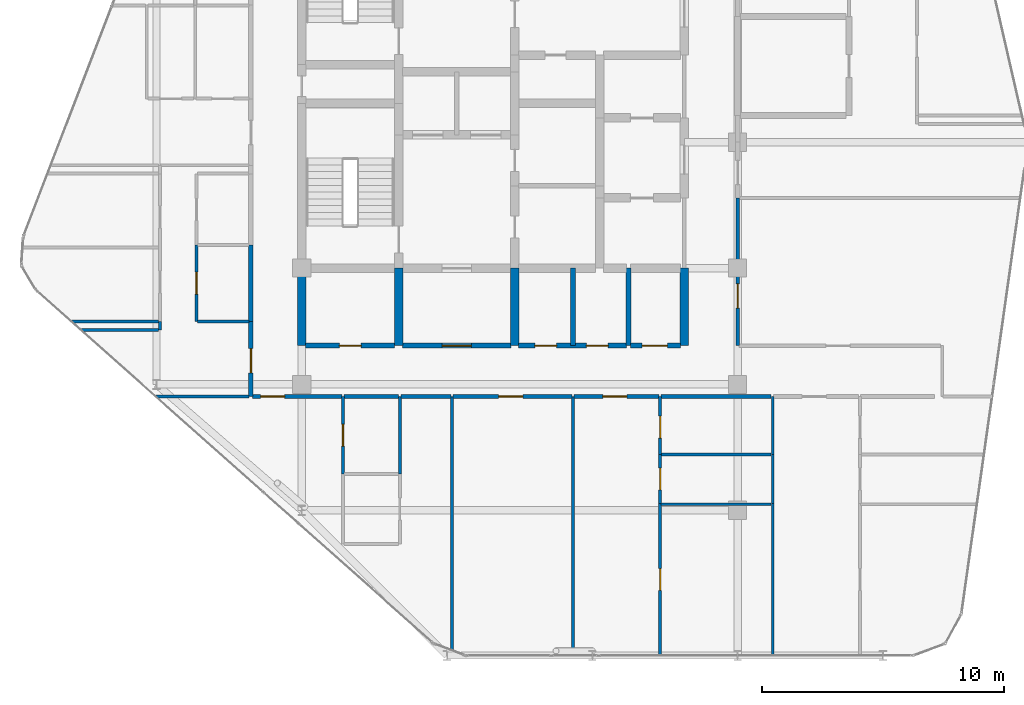
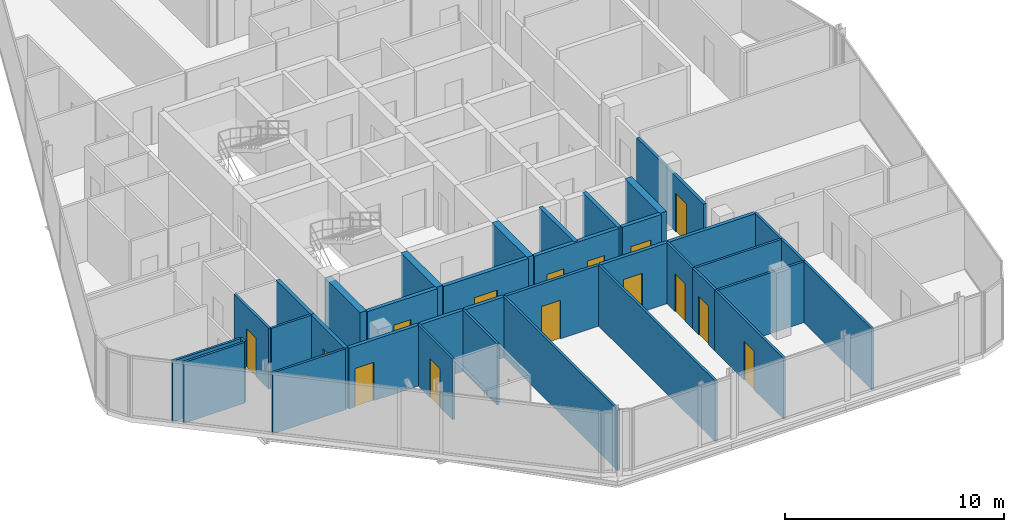
# One storey, part 22 of 27: 37 walls, 15 doors, 15 openings.
"""IFC4 building model written with IfcOpenShell, lengths in metres."""

from ifc_helpers import new_model, si_unit, direction, frame, frame_2d, origin, place, context, subcontext, project, spatial, rectangle, extrude, material, layer, layer_set, type_object, element, fill, save


model = new_model("IFC4")

# Units and contexts
model_context = context("Model", 3, precision=1e-05, world=origin(), true_north=direction((0.0, 1.0)))
body_context = subcontext(model_context, "Body", "Model", "MODEL_VIEW")
ifc_project = project(units=[si_unit("LENGTHUNIT", "METRE"), si_unit("AREAUNIT", "SQUARE_METRE"), si_unit("VOLUMEUNIT", "CUBIC_METRE"), si_unit("PLANEANGLEUNIT", "RADIAN"), si_unit("MASSUNIT", "GRAM", prefix="KILO")], contexts=[model_context])

# Site, building, storey
site_placement = place(None, origin())
site = spatial("IfcSite", under=ifc_project, at=site_placement, CompositionType="ELEMENT")
building_placement = place(site_placement, origin())
building = spatial("IfcBuilding", under=site, at=building_placement, Name="Keshet Zoharim Tower", CompositionType="ELEMENT")
storey_placement = place(building_placement, frame((0.0, 0.0, 262.10009765625)))
storey = spatial("IfcBuildingStorey", under=building, at=storey_placement, Name="L65", CompositionType="ELEMENT", Elevation=262.10009765625)

# Wall, opening, door
ifc_material_1 = material(Name="Gypsum Plasterboard", Category="gypsum")
ifc_layer_1 = layer(ifc_material_1, 0.14990234375)
ifc_layer_set_1 = layer_set([ifc_layer_1], Name="Gypsum Plasterboard")
wall_type_1 = type_object("IfcWallType", Name="WL-CLIN-150", PredefinedType="STANDARD", material=ifc_layer_set_1)
wall_1_placement = place(storey_placement, frame((33.0, 19.5, 0.0), z_axis=(0.0, 0.0, 1.0), x_axis=(0.0, 1.0, 0.0)))
wall_1 = element("IfcWall", 1, at=wall_1_placement, inside=storey, type_object=wall_type_1, Name="L65 Interior Wall 071", PredefinedType="STANDARD", context=body_context, shape_type="SweptSolid", body=[
    extrude(rectangle(XDim=6.10009765625, YDim=0.14990234375, at=frame_2d((3.050048828125, 0.0))), origin(), (0.0, 0.0, 1.0), 3.099853515625),
])
opening_1_placement = place(wall_1_placement, frame((1.544921875, 0.0, 0.0)))
opening_1 = element("IfcOpeningElement", 2, at=opening_1_placement, cuts=wall_1, Name="Opening D-F310", PredefinedType="OPENING", context=body_context, shape_type="SweptSolid", body=[
    extrude(rectangle(XDim=1.0, YDim=2.14990234375, at=frame_2d((0.5, 1.074951171875))), frame((0.0, 0.0849609375, 0.0), z_axis=(0.0, -1.0, 0.0), x_axis=(1.0, 0.0, 0.0)), (0.0, 0.0, 1.0), 0.169921875),
])
ifc_material_2 = material(Name="Hardwood Timber", Category="wood")
door_type_1 = type_object("IfcDoorType", Name="DR-FD30-100", OperationType="NOTDEFINED", PredefinedType="DOOR", material=ifc_material_2)
door_1_placement = place(opening_1_placement, origin())
door_1 = element("IfcDoor", 3, at=door_1_placement, inside=storey, type_object=door_type_1, Name="L65 South West Residents Services Suite Door 2", OperationType="SINGLE_SWING_LEFT", OverallHeight=2.14990234375, OverallWidth=1.0, PredefinedType="DOOR", context=body_context, shape_type="SweptSolid", body=[
    extrude(rectangle(XDim=1.0, YDim=2.14990234375, at=frame_2d((0.5, 1.074951171875))), frame((0.0, 0.02490234375, 0.0), z_axis=(0.0, -1.0, 0.0), x_axis=(1.0, 0.0, 0.0)), (0.0, 0.0, 1.0), 0.050048828125),
])
fill(opening_1, door_1)

wall_2_placement = place(storey_placement, frame((21.2451171875, 17.39990234375, 0.0), z_axis=(0.0, 0.0, 1.0), x_axis=(1.0, 0.0, 0.0)))
wall_2 = element("IfcWall", 4, at=wall_2_placement, inside=storey, type_object=wall_type_1, Name="L65 Interior Wall 106", PredefinedType="STANDARD", context=body_context, shape_type="SweptSolid", body=[
    extrude(rectangle(XDim=4.909912109375, YDim=0.14990234375, at=frame_2d((2.455078125, 0.0))), origin(), (0.0, 0.0, 1.0), 3.389892578125),
])
opening_2_placement = place(wall_2_placement, frame((1.884033203125, 0.0, 0.0)))
opening_2 = element("IfcOpeningElement", 5, at=opening_2_placement, cuts=wall_2, Name="Opening D-F310", PredefinedType="OPENING", context=body_context, shape_type="SweptSolid", body=[
    extrude(rectangle(XDim=1.0, YDim=2.14990234375, at=frame_2d((0.5, 1.074951171875))), frame((0.0, 0.0849609375, 0.0), z_axis=(0.0, -1.0, 0.0), x_axis=(1.0, 0.0, 0.0)), (0.0, 0.0, 1.0), 0.169921875),
])
door_2_placement = place(opening_2_placement, origin())
door_2 = element("IfcDoor", 6, at=door_2_placement, inside=storey, type_object=door_type_1, Name="L65 Residents Co-Working Office Door", OperationType="SINGLE_SWING_RIGHT", OverallHeight=2.14990234375, OverallWidth=1.0, PredefinedType="DOOR", context=body_context, shape_type="SweptSolid", body=[
    extrude(rectangle(XDim=1.0, YDim=2.14990234375, at=frame_2d((0.5, 1.074951171875))), frame((0.0, 0.02490234375, 0.0), z_axis=(0.0, -1.0, 0.0), x_axis=(1.0, 0.0, 0.0)), (0.0, 0.0, 1.0), 0.050048828125),
])
fill(opening_2, door_2)

# Walls
ifc_material_3 = material(Name="Concrete C60/75", Category="concrete")
ifc_layer_2 = layer(ifc_material_3, 0.35009765625)
ifc_layer_set_2 = layer_set([ifc_layer_2], Name="Concrete C60/75")
wall_type_2 = type_object("IfcWallType", Name="WL-CORE-350", PredefinedType="SHEAR", material=ifc_layer_set_2)
for number, where, z_axis, x_axis, name in (
    (7, (15.0, 19.5, 0.0), (0.0, 0.0, 1.0), (0.0, 1.0, 0.0), "L65 Core Shear Wall 021"),
    (8, (19.0, 19.5, 0.0), (0.0, 0.0, 1.0), (0.0, 1.0, 0.0), "L65 Core Shear Wall 028"),
    (9, (23.800048828125, 19.5, 0.0), (0.0, 0.0, 1.0), (0.0, 1.0, 0.0), "L65 Core Shear Wall 041"),
    (10, (30.800048828125, 19.5, 0.0), (0.0, 0.0, 1.0), (0.0, 1.0, 0.0), "L65 Core Shear Wall 065"),
):
    element("IfcWall", number, at=place(storey_placement, frame(where, z_axis=z_axis, x_axis=x_axis)), inside=storey, type_object=wall_type_2, Name=name, PredefinedType="SHEAR", context=body_context, shape_type="SweptSolid", body=[
        extrude(rectangle(XDim=3.199951171875, YDim=0.35009765625, at=frame_2d((1.60009765625, 0.0))), origin(), (0.0, 0.0, 1.0), 3.389892578125),
    ])

# Wall, opening, door
ifc_layer_3 = layer(ifc_material_1, 0.179931640625)
ifc_layer_set_3 = layer_set([ifc_layer_3], Name="Gypsum Plasterboard")
wall_type_3 = type_object("IfcWallType", Name="WL-CORR-180", PredefinedType="STANDARD", material=ifc_layer_set_3)
wall_3_placement = place(storey_placement, frame((12.89990234375, 17.39990234375, 0.0), z_axis=(0.0, 0.0, 1.0), x_axis=(0.0, 1.0, 0.0)))
wall_3 = element("IfcWall", 11, at=wall_3_placement, inside=storey, type_object=wall_type_3, Name="L65 Interior Wall 012", PredefinedType="STANDARD", context=body_context, shape_type="SweptSolid", body=[
    extrude(rectangle(XDim=3.10009765625, YDim=0.179931640625, at=frame_2d((1.550048828125, 0.0))), origin(), (0.0, 0.0, 1.0), 3.389892578125),
])
opening_3_placement = place(wall_3_placement, frame((0.97802734375, 0.0, 0.0)))
opening_3 = element("IfcOpeningElement", 12, at=opening_3_placement, cuts=wall_3, Name="Opening D-F310", PredefinedType="OPENING", context=body_context, shape_type="SweptSolid", body=[
    extrude(rectangle(XDim=1.0, YDim=2.14990234375, at=frame_2d((0.5, 1.074951171875))), frame((0.0, 0.10009765625, 0.0), z_axis=(0.0, -1.0, 0.0), x_axis=(1.0, 0.0, 0.0)), (0.0, 0.0, 1.0), 0.199951171875),
])
door_3_placement = place(opening_3_placement, origin())
door_3 = element("IfcDoor", 13, at=door_3_placement, inside=storey, type_object=door_type_1, Name="Apartment 6507 Entrance Door", OperationType="SINGLE_SWING_LEFT", OverallHeight=2.14990234375, OverallWidth=1.0, PredefinedType="DOOR", context=body_context, shape_type="SweptSolid", body=[
    extrude(rectangle(XDim=1.0, YDim=2.14990234375, at=frame_2d((0.5, 1.074951171875))), frame((0.0, 0.02490234375, 0.0), z_axis=(0.0, -1.0, 0.0), x_axis=(1.0, 0.0, 0.0)), (0.0, 0.0, 1.0), 0.050048828125),
])
fill(opening_3, door_3)

# Wall
wall_4_placement = place(storey_placement, frame((12.89990234375, 20.5, 0.0), z_axis=(0.0, 0.0, 1.0), x_axis=(0.0, 1.0, 0.0)))
element("IfcWall", 14, at=wall_4_placement, inside=storey, type_object=wall_type_3, Name="L65 Interior Wall 013", PredefinedType="STANDARD", context=body_context, shape_type="SweptSolid", body=[
    extrude(rectangle(XDim=3.162109375, YDim=0.179931640625, at=frame_2d((1.5810546875, 0.0))), origin(), (0.0, 0.0, 1.0), 3.389892578125),
])

# Wall, opening, door
wall_5_placement = place(storey_placement, frame((12.97509765625, 17.39990234375, 0.0), z_axis=(0.0, 0.0, 1.0), x_axis=(1.0, 0.0, 0.0)))
wall_5 = element("IfcWall", 15, at=wall_5_placement, inside=storey, type_object=wall_type_3, Name="L65 Interior Wall 103", PredefinedType="STANDARD", context=body_context, shape_type="SweptSolid", body=[
    extrude(rectangle(XDim=3.679931640625, YDim=0.179931640625, at=frame_2d((1.83984375, 0.0))), origin(), (0.0, 0.0, 1.0), 3.389892578125),
])
opening_4_placement = place(wall_5_placement, frame((0.322021484375, 0.0, 0.0)))
opening_4 = element("IfcOpeningElement", 16, at=opening_4_placement, cuts=wall_5, Name="Opening D-F310", PredefinedType="OPENING", context=body_context, shape_type="SweptSolid", body=[
    extrude(rectangle(XDim=1.0, YDim=2.14990234375, at=frame_2d((0.5, 1.074951171875))), frame((0.0, 0.10009765625, 0.0), z_axis=(0.0, -1.0, 0.0), x_axis=(1.0, 0.0, 0.0)), (0.0, 0.0, 1.0), 0.199951171875),
])
door_4_placement = place(opening_4_placement, origin())
door_4 = element("IfcDoor", 17, at=door_4_placement, inside=storey, type_object=door_type_1, Name="Apartment 6501 Entrance Door", OperationType="SINGLE_SWING_LEFT", OverallHeight=2.14990234375, OverallWidth=1.0, PredefinedType="DOOR", context=body_context, shape_type="SweptSolid", body=[
    extrude(rectangle(XDim=1.0, YDim=2.14990234375, at=frame_2d((0.5, 1.074951171875))), frame((0.0, 0.02490234375, 0.0), z_axis=(0.0, -1.0, 0.0), x_axis=(1.0, 0.0, 0.0)), (0.0, 0.0, 1.0), 0.050048828125),
])
fill(opening_4, door_4)

# Walls
wall_6_placement = place(storey_placement, frame((16.7451171875, 17.39990234375, 0.0), z_axis=(0.0, 0.0, 1.0), x_axis=(1.0, 0.0, 0.0)))
element("IfcWall", 18, at=wall_6_placement, inside=storey, type_object=wall_type_3, Name="L65 Interior Wall 104", PredefinedType="STANDARD", context=body_context, shape_type="SweptSolid", body=[
    extrude(rectangle(XDim=2.259765625, YDim=0.179931640625, at=frame_2d((1.1298828125, 0.0))), origin(), (0.0, 0.0, 1.0), 3.389892578125),
])
wall_7_placement = place(storey_placement, frame((19.094970703125, 17.39990234375, 0.0), z_axis=(0.0, 0.0, 1.0), x_axis=(1.0, 0.0, 0.0)))
element("IfcWall", 19, at=wall_7_placement, inside=storey, type_object=wall_type_3, Name="L65 Interior Wall 105", PredefinedType="STANDARD", context=body_context, shape_type="SweptSolid", body=[
    extrude(rectangle(XDim=2.06005859375, YDim=0.179931640625, at=frame_2d((1.030029296875, 0.0))), origin(), (0.0, 0.0, 1.0), 3.389892578125),
])

# Wall, opening, door
wall_8_placement = place(storey_placement, frame((26.2451171875, 17.39990234375, 0.0), z_axis=(0.0, 0.0, 1.0), x_axis=(1.0, 0.0, 0.0)))
wall_8 = element("IfcWall", 20, at=wall_8_placement, inside=storey, type_object=wall_type_3, Name="L65 Interior Wall 107", PredefinedType="STANDARD", context=body_context, shape_type="SweptSolid", body=[
    extrude(rectangle(XDim=3.509765625, YDim=0.179931640625, at=frame_2d((1.7548828125, 0.0))), origin(), (0.0, 0.0, 1.0), 3.389892578125),
])
opening_5_placement = place(wall_8_placement, frame((1.18505859375, 0.0, 0.0)))
opening_5 = element("IfcOpeningElement", 21, at=opening_5_placement, cuts=wall_8, Name="Opening D-F310", PredefinedType="OPENING", context=body_context, shape_type="SweptSolid", body=[
    extrude(rectangle(XDim=1.0, YDim=2.14990234375, at=frame_2d((0.5, 1.074951171875))), frame((0.0, 0.10009765625, 0.0), z_axis=(0.0, -1.0, 0.0), x_axis=(1.0, 0.0, 0.0)), (0.0, 0.0, 1.0), 0.199951171875),
])
door_5_placement = place(opening_5_placement, origin())
door_5 = element("IfcDoor", 22, at=door_5_placement, inside=storey, type_object=door_type_1, Name="Apartment 6502 Entrance Door", OperationType="SINGLE_SWING_LEFT", OverallHeight=2.14990234375, OverallWidth=1.0, PredefinedType="DOOR", context=body_context, shape_type="SweptSolid", body=[
    extrude(rectangle(XDim=1.0, YDim=2.14990234375, at=frame_2d((0.5, 1.074951171875))), frame((0.0, 0.02490234375, 0.0), z_axis=(0.0, -1.0, 0.0), x_axis=(1.0, 0.0, 0.0)), (0.0, 0.0, 1.0), 0.050048828125),
])
fill(opening_5, door_5)

# Walls
wall_9_placement = place(storey_placement, frame((29.844970703125, 17.39990234375, 0.0), z_axis=(0.0, 0.0, 1.0), x_axis=(1.0, 0.0, 0.0)))
element("IfcWall", 23, at=wall_9_placement, inside=storey, type_object=wall_type_3, Name="L65 Interior Wall 108", PredefinedType="STANDARD", context=body_context, shape_type="SweptSolid", body=[
    extrude(rectangle(XDim=4.5400390625, YDim=0.179931640625, at=frame_2d((2.27001953125, 0.0))), origin(), (0.0, 0.0, 1.0), 3.389892578125),
])
ifc_material_4 = material(Name="Concrete C50/60", Category="concrete")
ifc_layer_4 = layer(ifc_material_4, 0.199951171875)
ifc_layer_set_4 = layer_set([ifc_layer_4], Name="Concrete C50/60")
wall_type_4 = type_object("IfcWallType", Name="WL-FIRE-200", PredefinedType="STANDARD", material=ifc_layer_set_4)
for number, where, z_axis, x_axis, name in (
    (24, (26.199951171875, 19.5, 0.0), (0.0, 0.0, 1.0), (0.0, 1.0, 0.0), "L65 Interior Wall 051"),
    (25, (28.5, 19.5, 0.0), (0.0, 0.0, 1.0), (0.0, 1.0, 0.0), "L65 Interior Wall 058"),
):
    element("IfcWall", number, at=place(storey_placement, frame(where, z_axis=z_axis, x_axis=x_axis)), inside=storey, type_object=wall_type_4, Name=name, PredefinedType="STANDARD", context=body_context, shape_type="SweptSolid", body=[
        extrude(rectangle(XDim=3.199951171875, YDim=0.199951171875, at=frame_2d((1.60009765625, 0.0))), origin(), (0.0, 0.0, 1.0), 3.389892578125),
    ])

# Wall, opening, door
wall_10_placement = place(storey_placement, frame((15.159912109375, 19.5, 0.0), z_axis=(0.0, 0.0, 1.0), x_axis=(1.0, 0.0, 0.0)))
wall_10 = element("IfcWall", 26, at=wall_10_placement, inside=storey, type_object=wall_type_4, Name="L65 Interior Wall 112", PredefinedType="STANDARD", context=body_context, shape_type="SweptSolid", body=[
    extrude(rectangle(XDim=3.68017578125, YDim=0.199951171875, at=frame_2d((1.840087890625, 0.0))), origin(), (0.0, 0.0, 1.0), 3.389892578125),
])
opening_6_placement = place(wall_10_placement, frame((1.389892578125, 0.0, 0.0)))
opening_6 = element("IfcOpeningElement", 27, at=opening_6_placement, cuts=wall_10, Name="Opening D-F690", PredefinedType="OPENING", context=body_context, shape_type="SweptSolid", body=[
    extrude(rectangle(XDim=0.89990234375, YDim=2.14990234375, at=frame_2d((0.449951171875, 1.074951171875))), frame((0.0, 0.10986328125, 0.0), z_axis=(0.0, -1.0, 0.0), x_axis=(1.0, 0.0, 0.0)), (0.0, 0.0, 1.0), 0.219970703125),
])
door_type_2 = type_object("IfcDoorType", Name="DR-FD60-090", OperationType="NOTDEFINED", PredefinedType="DOOR", material=ifc_material_2)
door_6_placement = place(opening_6_placement, origin())
door_6 = element("IfcDoor", 28, at=door_6_placement, inside=storey, type_object=door_type_2, Name="L65 Pram Store Door", OperationType="SINGLE_SWING_LEFT", OverallHeight=2.14990234375, OverallWidth=0.89990234375, PredefinedType="DOOR", context=body_context, shape_type="SweptSolid", body=[
    extrude(rectangle(XDim=0.89990234375, YDim=2.14990234375, at=frame_2d((0.449951171875, 1.074951171875))), frame((0.0, 0.02490234375, 0.0), z_axis=(0.0, -1.0, 0.0), x_axis=(1.0, 0.0, 0.0)), (0.0, 0.0, 1.0), 0.050048828125),
])
fill(opening_6, door_6)

wall_11_placement = place(storey_placement, frame((19.159912109375, 19.5, 0.0), z_axis=(0.0, 0.0, 1.0), x_axis=(1.0, 0.0, 0.0)))
wall_11 = element("IfcWall", 29, at=wall_11_placement, inside=storey, type_object=wall_type_4, Name="L65 Interior Wall 113", PredefinedType="STANDARD", context=body_context, shape_type="SweptSolid", body=[
    extrude(rectangle(XDim=4.47998046875, YDim=0.199951171875, at=frame_2d((2.239990234375, 0.0))), origin(), (0.0, 0.0, 1.0), 3.389892578125),
])
opening_7_placement = place(wall_11_placement, frame((1.639892578125, 0.0, 0.0)))
opening_7 = element("IfcOpeningElement", 30, at=opening_7_placement, cuts=wall_11, Name="Opening D-F612", PredefinedType="OPENING", context=body_context, shape_type="SweptSolid", body=[
    extrude(rectangle(XDim=1.199951171875, YDim=2.199951171875, at=frame_2d((0.60009765625, 1.10009765625))), frame((0.0, 0.10986328125, 0.0), z_axis=(0.0, -1.0, 0.0), x_axis=(1.0, 0.0, 0.0)), (0.0, 0.0, 1.0), 0.219970703125),
])
door_type_3 = type_object("IfcDoorType", Name="DR-FD60-120", OperationType="NOTDEFINED", PredefinedType="DOOR", material=ifc_material_2)
door_7_placement = place(opening_7_placement, origin())
door_7 = element("IfcDoor", 31, at=door_7_placement, inside=storey, type_object=door_type_3, Name="L65 South Vestibule Corridor Door", OperationType="SINGLE_SWING_RIGHT", OverallHeight=2.199951171875, OverallWidth=1.199951171875, PredefinedType="DOOR", context=body_context, shape_type="SweptSolid", body=[
    extrude(rectangle(XDim=1.199951171875, YDim=2.199951171875, at=frame_2d((0.60009765625, 1.10009765625))), frame((0.0, 0.02490234375, 0.0), z_axis=(0.0, -1.0, 0.0), x_axis=(1.0, 0.0, 0.0)), (0.0, 0.0, 1.0), 0.050048828125),
])
fill(opening_7, door_7)

# Wall, openings, doors
wall_12_placement = place(storey_placement, frame((23.9599609375, 19.5, 0.0), z_axis=(0.0, 0.0, 1.0), x_axis=(1.0, 0.0, 0.0)))
wall_12 = element("IfcWall", 32, at=wall_12_placement, inside=storey, type_object=wall_type_4, Name="L65 Interior Wall 114", PredefinedType="STANDARD", context=body_context, shape_type="SweptSolid", body=[
    extrude(rectangle(XDim=4.455078125, YDim=0.199951171875, at=frame_2d((2.2275390625, 0.0))), origin(), (0.0, 0.0, 1.0), 3.389892578125),
])
opening_8_placement = place(wall_12_placement, frame((0.6650390625, 0.0, 0.0)))
opening_8 = element("IfcOpeningElement", 33, at=opening_8_placement, cuts=wall_12, Name="Opening D-F690", PredefinedType="OPENING", context=body_context, shape_type="SweptSolid", body=[
    extrude(rectangle(XDim=0.89990234375, YDim=2.14990234375, at=frame_2d((0.449951171875, 1.074951171875))), frame((0.0, 0.10986328125, 0.0), z_axis=(0.0, -1.0, 0.0), x_axis=(1.0, 0.0, 0.0)), (0.0, 0.0, 1.0), 0.219970703125),
])
opening_9_placement = place(wall_12_placement, frame((2.791015625, 0.0, 0.0)))
opening_9 = element("IfcOpeningElement", 34, at=opening_9_placement, cuts=wall_12, Name="Opening D-F690", PredefinedType="OPENING", context=body_context, shape_type="SweptSolid", body=[
    extrude(rectangle(XDim=0.89990234375, YDim=2.14990234375, at=frame_2d((0.449951171875, 1.074951171875))), frame((0.0, 0.10986328125, 0.0), z_axis=(0.0, -1.0, 0.0), x_axis=(1.0, 0.0, 0.0)), (0.0, 0.0, 1.0), 0.219970703125),
])
door_8_placement = place(opening_8_placement, origin())
door_8 = element("IfcDoor", 35, at=door_8_placement, inside=storey, type_object=door_type_2, Name="L65 Switchgear Room Door", OperationType="SINGLE_SWING_LEFT", OverallHeight=2.14990234375, OverallWidth=0.89990234375, PredefinedType="DOOR", context=body_context, shape_type="SweptSolid", body=[
    extrude(rectangle(XDim=0.89990234375, YDim=2.14990234375, at=frame_2d((0.449951171875, 1.074951171875))), frame((0.0, 0.02490234375, 0.0), z_axis=(0.0, -1.0, 0.0), x_axis=(1.0, 0.0, 0.0)), (0.0, 0.0, 1.0), 0.050048828125),
])
fill(opening_8, door_8)
door_9_placement = place(opening_9_placement, origin())
door_9 = element("IfcDoor", 36, at=door_9_placement, inside=storey, type_object=door_type_2, Name="L65 Telecom Room Door", OperationType="SINGLE_SWING_RIGHT", OverallHeight=2.14990234375, OverallWidth=0.89990234375, PredefinedType="DOOR", context=body_context, shape_type="SweptSolid", body=[
    extrude(rectangle(XDim=0.89990234375, YDim=2.14990234375, at=frame_2d((0.449951171875, 1.074951171875))), frame((0.0, 0.02490234375, 0.0), z_axis=(0.0, -1.0, 0.0), x_axis=(1.0, 0.0, 0.0)), (0.0, 0.0, 1.0), 0.050048828125),
])
fill(opening_9, door_9)

# Wall, opening, door
wall_13_placement = place(storey_placement, frame((28.5849609375, 19.5, 0.0), z_axis=(0.0, 0.0, 1.0), x_axis=(1.0, 0.0, 0.0)))
wall_13 = element("IfcWall", 37, at=wall_13_placement, inside=storey, type_object=wall_type_4, Name="L65 Interior Wall 115", PredefinedType="STANDARD", context=body_context, shape_type="SweptSolid", body=[
    extrude(rectangle(XDim=2.054931640625, YDim=0.199951171875, at=frame_2d((1.02734375, 0.0))), origin(), (0.0, 0.0, 1.0), 3.389892578125),
])
opening_10_placement = place(wall_13_placement, frame((0.466064453125, 0.0, 0.0)))
opening_10 = element("IfcOpeningElement", 38, at=opening_10_placement, cuts=wall_13, Name="Opening D-AC10", PredefinedType="OPENING", context=body_context, shape_type="SweptSolid", body=[
    extrude(rectangle(XDim=1.050048828125, YDim=2.14990234375, at=frame_2d((0.52490234375, 1.074951171875))), frame((0.0, 0.10986328125, 0.0), z_axis=(0.0, -1.0, 0.0), x_axis=(1.0, 0.0, 0.0)), (0.0, 0.0, 1.0), 0.219970703125),
])
door_type_4 = type_object("IfcDoorType", Name="DR-ACC-105", OperationType="NOTDEFINED", PredefinedType="DOOR", material=ifc_material_2)
door_10_placement = place(opening_10_placement, origin())
door_10 = element("IfcDoor", 39, at=door_10_placement, inside=storey, type_object=door_type_4, Name="L65 Accessible WC Door", OperationType="SINGLE_SWING_LEFT", OverallHeight=2.14990234375, OverallWidth=1.050048828125, PredefinedType="DOOR", context=body_context, shape_type="SweptSolid", body=[
    extrude(rectangle(XDim=1.050048828125, YDim=2.14990234375, at=frame_2d((0.52490234375, 1.074951171875))), frame((0.0, 0.02490234375, 0.0), z_axis=(0.0, -1.0, 0.0), x_axis=(1.0, 0.0, 0.0)), (0.0, 0.0, 1.0), 0.050048828125),
])
fill(opening_10, door_10)

# Wall
ifc_layer_5 = layer(ifc_material_1, 0.1201171875)
ifc_layer_set_5 = layer_set([ifc_layer_5], Name="Gypsum Plasterboard")
wall_type_5 = type_object("IfcWallType", Name="WL-PART-120", PredefinedType="PARTITIONING", material=ifc_layer_set_5)
wall_14_placement = place(storey_placement, frame((9.14990234375, 20.14990234375, 0.0), z_axis=(0.0, 0.0, 1.0), x_axis=(0.0, 1.0, 0.0)))
element("IfcWall", 40, at=wall_14_placement, inside=storey, type_object=wall_type_5, Name="L65 Interior Wall 002", PredefinedType="PARTITIONING", context=body_context, shape_type="SweptSolid", body=[
    extrude(rectangle(XDim=0.35009765625, YDim=0.1201171875, at=frame_2d((0.175048828125, 0.0))), origin(), (0.0, 0.0, 1.0), 3.389892578125),
])

# Wall, opening, door
wall_15_placement = place(storey_placement, frame((10.64990234375, 20.5, 0.0), z_axis=(0.0, 0.0, 1.0), x_axis=(0.0, 1.0, 0.0)))
wall_15 = element("IfcWall", 41, at=wall_15_placement, inside=storey, type_object=wall_type_5, Name="L65 Interior Wall 008", PredefinedType="PARTITIONING", context=body_context, shape_type="SweptSolid", body=[
    extrude(rectangle(XDim=3.162109375, YDim=0.1201171875, at=frame_2d((1.5810546875, 0.0))), origin(), (0.0, 0.0, 1.0), 3.389892578125),
])
opening_11_placement = place(wall_15_placement, frame((1.131103515625, 0.0, 0.0)))
opening_11 = element("IfcOpeningElement", 42, at=opening_11_placement, cuts=wall_15, Name="Opening D-IN90", PredefinedType="OPENING", context=body_context, shape_type="SweptSolid", body=[
    extrude(rectangle(XDim=0.89990234375, YDim=2.14990234375, at=frame_2d((0.449951171875, 1.074951171875))), frame((0.0, 0.070068359375, 0.0), z_axis=(0.0, -1.0, 0.0), x_axis=(1.0, 0.0, 0.0)), (0.0, 0.0, 1.0), 0.14013671875),
])
door_type_5 = type_object("IfcDoorType", Name="DR-INT-090", OperationType="NOTDEFINED", PredefinedType="DOOR", material=ifc_material_2)
door_11_placement = place(opening_11_placement, origin())
door_11 = element("IfcDoor", 43, at=door_11_placement, inside=storey, type_object=door_type_5, Name="Apartment 6507 Kitchen Door", OperationType="SINGLE_SWING_LEFT", OverallHeight=2.14990234375, OverallWidth=0.89990234375, PredefinedType="DOOR", context=body_context, shape_type="SweptSolid", body=[
    extrude(rectangle(XDim=0.89990234375, YDim=2.14990234375, at=frame_2d((0.449951171875, 1.074951171875))), frame((0.0, 0.02490234375, 0.0), z_axis=(0.0, -1.0, 0.0), x_axis=(1.0, 0.0, 0.0)), (0.0, 0.0, 1.0), 0.050048828125),
])
fill(opening_11, door_11)

wall_16_placement = place(storey_placement, frame((16.699951171875, 14.199951171875, 0.0), z_axis=(0.0, 0.0, 1.0), x_axis=(0.0, 1.0, 0.0)))
wall_16 = element("IfcWall", 44, at=wall_16_placement, inside=storey, type_object=wall_type_5, Name="L65 Interior Wall 026", PredefinedType="PARTITIONING", context=body_context, shape_type="SweptSolid", body=[
    extrude(rectangle(XDim=3.199951171875, YDim=0.1201171875, at=frame_2d((1.60009765625, 0.0))), origin(), (0.0, 0.0, 1.0), 3.389892578125),
])
opening_12_placement = place(wall_16_placement, frame((1.14990234375, 0.0, 0.0)))
opening_12 = element("IfcOpeningElement", 45, at=opening_12_placement, cuts=wall_16, Name="Opening D-IN90", PredefinedType="OPENING", context=body_context, shape_type="SweptSolid", body=[
    extrude(rectangle(XDim=0.89990234375, YDim=2.14990234375, at=frame_2d((0.449951171875, 1.074951171875))), frame((0.0, 0.070068359375, 0.0), z_axis=(0.0, -1.0, 0.0), x_axis=(1.0, 0.0, 0.0)), (0.0, 0.0, 1.0), 0.14013671875),
])
door_12_placement = place(opening_12_placement, origin())
door_12 = element("IfcDoor", 46, at=door_12_placement, inside=storey, type_object=door_type_5, Name="Apartment 6501 Kitchenette Door", OperationType="SINGLE_SWING_LEFT", OverallHeight=2.14990234375, OverallWidth=0.89990234375, PredefinedType="DOOR", context=body_context, shape_type="SweptSolid", body=[
    extrude(rectangle(XDim=0.89990234375, YDim=2.14990234375, at=frame_2d((0.449951171875, 1.074951171875))), frame((0.0, 0.02490234375, 0.0), z_axis=(0.0, -1.0, 0.0), x_axis=(1.0, 0.0, 0.0)), (0.0, 0.0, 1.0), 0.050048828125),
])
fill(opening_12, door_12)

# Walls
wall_17_placement = place(storey_placement, frame((19.050048828125, 14.199951171875, 0.0), z_axis=(0.0, 0.0, 1.0), x_axis=(0.0, 1.0, 0.0)))
element("IfcWall", 47, at=wall_17_placement, inside=storey, type_object=wall_type_5, Name="L65 Interior Wall 034", PredefinedType="PARTITIONING", context=body_context, shape_type="SweptSolid", body=[
    extrude(rectangle(XDim=3.199951171875, YDim=0.1201171875, at=frame_2d((1.60009765625, 0.0))), origin(), (0.0, 0.0, 1.0), 3.389892578125),
])
wall_18_placement = place(storey_placement, frame((21.199951171875, 6.923095703125, 0.0), z_axis=(0.0, 0.0, 1.0), x_axis=(0.0, 1.0, 0.0)))
element("IfcWall", 48, at=wall_18_placement, inside=storey, type_object=wall_type_5, Name="L65 Interior Wall 035", PredefinedType="PARTITIONING", context=body_context, shape_type="SweptSolid", body=[
    extrude(rectangle(XDim=10.476806640625, YDim=0.1201171875, at=frame_2d((5.23828125, 0.0))), origin(), (0.0, 0.0, 1.0), 3.389892578125),
])
wall_19_placement = place(storey_placement, frame((26.199951171875, 6.7099609375, 0.0), z_axis=(0.0, 0.0, 1.0), x_axis=(0.0, 1.0, 0.0)))
element("IfcWall", 49, at=wall_19_placement, inside=storey, type_object=wall_type_5, Name="L65 Interior Wall 050", PredefinedType="PARTITIONING", context=body_context, shape_type="SweptSolid", body=[
    extrude(rectangle(XDim=10.68994140625, YDim=0.1201171875, at=frame_2d((5.344970703125, 0.0))), origin(), (0.0, 0.0, 1.0), 3.389892578125),
])

# Wall, opening, door
wall_20_placement = place(storey_placement, frame((29.800048828125, 6.7099609375, 0.0), z_axis=(0.0, 0.0, 1.0), x_axis=(0.0, 1.0, 0.0)))
wall_20 = element("IfcWall", 50, at=wall_20_placement, inside=storey, type_object=wall_type_5, Name="L65 Interior Wall 061", PredefinedType="PARTITIONING", context=body_context, shape_type="SweptSolid", body=[
    extrude(rectangle(XDim=6.260009765625, YDim=0.1201171875, at=frame_2d((3.1298828125, 0.0))), origin(), (0.0, 0.0, 1.0), 3.389892578125),
])
opening_13_placement = place(wall_20_placement, frame((2.679931640625, 0.0, 0.0)))
opening_13 = element("IfcOpeningElement", 51, at=opening_13_placement, cuts=wall_20, Name="Opening D-IN90", PredefinedType="OPENING", context=body_context, shape_type="SweptSolid", body=[
    extrude(rectangle(XDim=0.89990234375, YDim=2.14990234375, at=frame_2d((0.449951171875, 1.074951171875))), frame((0.0, 0.070068359375, 0.0), z_axis=(0.0, -1.0, 0.0), x_axis=(1.0, 0.0, 0.0)), (0.0, 0.0, 1.0), 0.14013671875),
])
door_13_placement = place(opening_13_placement, origin())
door_13 = element("IfcDoor", 52, at=door_13_placement, inside=storey, type_object=door_type_5, Name="Apartment 6502 Bedroom 1 Door", OperationType="SINGLE_SWING_RIGHT", OverallHeight=2.14990234375, OverallWidth=0.89990234375, PredefinedType="DOOR", context=body_context, shape_type="SweptSolid", body=[
    extrude(rectangle(XDim=0.89990234375, YDim=2.14990234375, at=frame_2d((0.449951171875, 1.074951171875))), frame((0.0, 0.02490234375, 0.0), z_axis=(0.0, -1.0, 0.0), x_axis=(1.0, 0.0, 0.0)), (0.0, 0.0, 1.0), 0.050048828125),
])
fill(opening_13, door_13)

wall_21_placement = place(storey_placement, frame((29.800048828125, 12.969970703125, 0.0), z_axis=(0.0, 0.0, 1.0), x_axis=(0.0, 1.0, 0.0)))
wall_21 = element("IfcWall", 53, at=wall_21_placement, inside=storey, type_object=wall_type_5, Name="L65 Interior Wall 062", PredefinedType="PARTITIONING", context=body_context, shape_type="SweptSolid", body=[
    extrude(rectangle(XDim=2.0380859375, YDim=0.1201171875, at=frame_2d((1.01904296875, 0.0))), origin(), (0.0, 0.0, 1.0), 3.389892578125),
])
opening_14_placement = place(wall_21_placement, frame((0.569091796875, 0.0, 0.0)))
opening_14 = element("IfcOpeningElement", 54, at=opening_14_placement, cuts=wall_21, Name="Opening D-IN90", PredefinedType="OPENING", context=body_context, shape_type="SweptSolid", body=[
    extrude(rectangle(XDim=0.89990234375, YDim=2.14990234375, at=frame_2d((0.449951171875, 1.074951171875))), frame((0.0, 0.070068359375, 0.0), z_axis=(0.0, -1.0, 0.0), x_axis=(1.0, 0.0, 0.0)), (0.0, 0.0, 1.0), 0.14013671875),
])
door_14_placement = place(opening_14_placement, origin())
door_14 = element("IfcDoor", 55, at=door_14_placement, inside=storey, type_object=door_type_5, Name="Apartment 6502 Kitchen Door", OperationType="SINGLE_SWING_LEFT", OverallHeight=2.14990234375, OverallWidth=0.89990234375, PredefinedType="DOOR", context=body_context, shape_type="SweptSolid", body=[
    extrude(rectangle(XDim=0.89990234375, YDim=2.14990234375, at=frame_2d((0.449951171875, 1.074951171875))), frame((0.0, 0.02490234375, 0.0), z_axis=(0.0, -1.0, 0.0), x_axis=(1.0, 0.0, 0.0)), (0.0, 0.0, 1.0), 0.050048828125),
])
fill(opening_14, door_14)

# Walls
wall_22_placement = place(storey_placement, frame((34.449951171875, 6.7099609375, 0.0), z_axis=(0.0, 0.0, 1.0), x_axis=(0.0, 1.0, 0.0)))
element("IfcWall", 56, at=wall_22_placement, inside=storey, type_object=wall_type_5, Name="L65 Interior Wall 078", PredefinedType="PARTITIONING", context=body_context, shape_type="SweptSolid", body=[
    extrude(rectangle(XDim=6.260009765625, YDim=0.1201171875, at=frame_2d((3.1298828125, 0.0))), origin(), (0.0, 0.0, 1.0), 3.389892578125),
])
wall_23_placement = place(storey_placement, frame((34.449951171875, 12.969970703125, 0.0), z_axis=(0.0, 0.0, 1.0), x_axis=(0.0, 1.0, 0.0)))
element("IfcWall", 57, at=wall_23_placement, inside=storey, type_object=wall_type_5, Name="L65 Interior Wall 079", PredefinedType="PARTITIONING", context=body_context, shape_type="SweptSolid", body=[
    extrude(rectangle(XDim=2.0380859375, YDim=0.1201171875, at=frame_2d((1.01904296875, 0.0))), origin(), (0.0, 0.0, 1.0), 3.389892578125),
])
wall_24_placement = place(storey_placement, frame((29.844970703125, 12.949951171875, 0.0), z_axis=(0.0, 0.0, 1.0), x_axis=(1.0, 0.0, 0.0)))
element("IfcWall", 58, at=wall_24_placement, inside=storey, type_object=wall_type_5, Name="L65 Interior Wall 097", PredefinedType="PARTITIONING", context=body_context, shape_type="SweptSolid", body=[
    extrude(rectangle(XDim=4.5400390625, YDim=0.1201171875, at=frame_2d((2.27001953125, 0.0))), origin(), (0.0, 0.0, 1.0), 3.389892578125),
])
wall_25_placement = place(storey_placement, frame((8.972900390625, 17.39990234375, 0.0), z_axis=(0.0, 0.0, 1.0), x_axis=(1.0, 0.0, 0.0)))
element("IfcWall", 59, at=wall_25_placement, inside=storey, type_object=wall_type_5, Name="L65 Interior Wall 102", PredefinedType="PARTITIONING", context=body_context, shape_type="SweptSolid", body=[
    extrude(rectangle(XDim=3.85205078125, YDim=0.1201171875, at=frame_2d((1.926025390625, 0.0))), origin(), (0.0, 0.0, 1.0), 3.389892578125),
])
wall_26_placement = place(storey_placement, frame((5.87890625, 20.14990234375, 0.0), z_axis=(0.0, 0.0, 1.0), x_axis=(1.0, 0.0, 0.0)))
element("IfcWall", 60, at=wall_26_placement, inside=storey, type_object=wall_type_5, Name="L65 Interior Wall 117", PredefinedType="PARTITIONING", context=body_context, shape_type="SweptSolid", body=[
    extrude(rectangle(XDim=3.2060546875, YDim=0.1201171875, at=frame_2d((1.60302734375, 0.0))), origin(), (0.0, 0.0, 1.0), 3.389892578125),
])
wall_27_placement = place(storey_placement, frame((5.485107421875, 20.5, 0.0), z_axis=(0.0, 0.0, 1.0), x_axis=(1.0, 0.0, 0.0)))
element("IfcWall", 61, at=wall_27_placement, inside=storey, type_object=wall_type_5, Name="L65 Interior Wall 118", PredefinedType="PARTITIONING", context=body_context, shape_type="SweptSolid", body=[
    extrude(rectangle(XDim=3.599853515625, YDim=0.1201171875, at=frame_2d((1.7998046875, 0.0))), origin(), (0.0, 0.0, 1.0), 3.389892578125),
])
wall_28_placement = place(storey_placement, frame((10.695068359375, 20.5, 0.0), z_axis=(0.0, 0.0, 1.0), x_axis=(1.0, 0.0, 0.0)))
element("IfcWall", 62, at=wall_28_placement, inside=storey, type_object=wall_type_5, Name="L65 Interior Wall 119", PredefinedType="PARTITIONING", context=body_context, shape_type="SweptSolid", body=[
    extrude(rectangle(XDim=2.1298828125, YDim=0.1201171875, at=frame_2d((1.06494140625, 0.0))), origin(), (0.0, 0.0, 1.0), 3.389892578125),
])

# Wall, opening, door
ifc_layer_6 = layer(ifc_material_1, 0.1201171875)
ifc_layer_set_6 = layer_set([ifc_layer_6], Name="Gypsum Plasterboard")
wall_type_6 = type_object("IfcWallType", Name="WL-WET-120", PredefinedType="PARTITIONING", material=ifc_layer_set_6)
wall_29_placement = place(storey_placement, frame((29.800048828125, 15.008056640625, 0.0), z_axis=(0.0, 0.0, 1.0), x_axis=(0.0, 1.0, 0.0)))
wall_29 = element("IfcWall", 63, at=wall_29_placement, inside=storey, type_object=wall_type_6, Name="L65 Interior Wall 063", PredefinedType="PARTITIONING", context=body_context, shape_type="SweptSolid", body=[
    extrude(rectangle(XDim=2.391845703125, YDim=0.1201171875, at=frame_2d((1.19580078125, 0.0))), origin(), (0.0, 0.0, 1.0), 3.389892578125),
])
opening_15_placement = place(wall_29_placement, frame((0.675048828125, 0.0, 0.0)))
opening_15 = element("IfcOpeningElement", 64, at=opening_15_placement, cuts=wall_29, Name="Opening D-WT90", PredefinedType="OPENING", context=body_context, shape_type="SweptSolid", body=[
    extrude(rectangle(XDim=0.89990234375, YDim=2.10009765625, at=frame_2d((0.449951171875, 1.050048828125))), frame((0.0, 0.070068359375, 0.0), z_axis=(0.0, -1.0, 0.0), x_axis=(1.0, 0.0, 0.0)), (0.0, 0.0, 1.0), 0.14013671875),
])
door_type_6 = type_object("IfcDoorType", Name="DR-WET-090", OperationType="NOTDEFINED", PredefinedType="DOOR", material=ifc_material_2)
door_15_placement = place(opening_15_placement, origin())
door_15 = element("IfcDoor", 65, at=door_15_placement, inside=storey, type_object=door_type_6, Name="Apartment 6502 Bathroom Door", OperationType="SINGLE_SWING_RIGHT", OverallHeight=2.10009765625, OverallWidth=0.89990234375, PredefinedType="DOOR", context=body_context, shape_type="SweptSolid", body=[
    extrude(rectangle(XDim=0.89990234375, YDim=2.10009765625, at=frame_2d((0.449951171875, 1.050048828125))), frame((0.0, 0.02490234375, 0.0), z_axis=(0.0, -1.0, 0.0), x_axis=(1.0, 0.0, 0.0)), (0.0, 0.0, 1.0), 0.050048828125),
])
fill(opening_15, door_15)

# Walls
wall_30_placement = place(storey_placement, frame((34.449951171875, 15.008056640625, 0.0), z_axis=(0.0, 0.0, 1.0), x_axis=(0.0, 1.0, 0.0)))
element("IfcWall", 66, at=wall_30_placement, inside=storey, type_object=wall_type_6, Name="L65 Interior Wall 080", PredefinedType="PARTITIONING", context=body_context, shape_type="SweptSolid", body=[
    extrude(rectangle(XDim=2.391845703125, YDim=0.1201171875, at=frame_2d((1.19580078125, 0.0))), origin(), (0.0, 0.0, 1.0), 3.389892578125),
])
wall_31_placement = place(storey_placement, frame((29.844970703125, 15.0, 0.0), z_axis=(0.0, 0.0, 1.0), x_axis=(1.0, 0.0, 0.0)))
element("IfcWall", 67, at=wall_31_placement, inside=storey, type_object=wall_type_6, Name="L65 Interior Wall 100", PredefinedType="PARTITIONING", context=body_context, shape_type="SweptSolid", body=[
    extrude(rectangle(XDim=4.5400390625, YDim=0.1201171875, at=frame_2d((2.27001953125, 0.0))), origin(), (0.0, 0.0, 1.0), 3.389892578125),
])

save(model, "model.ifc")
